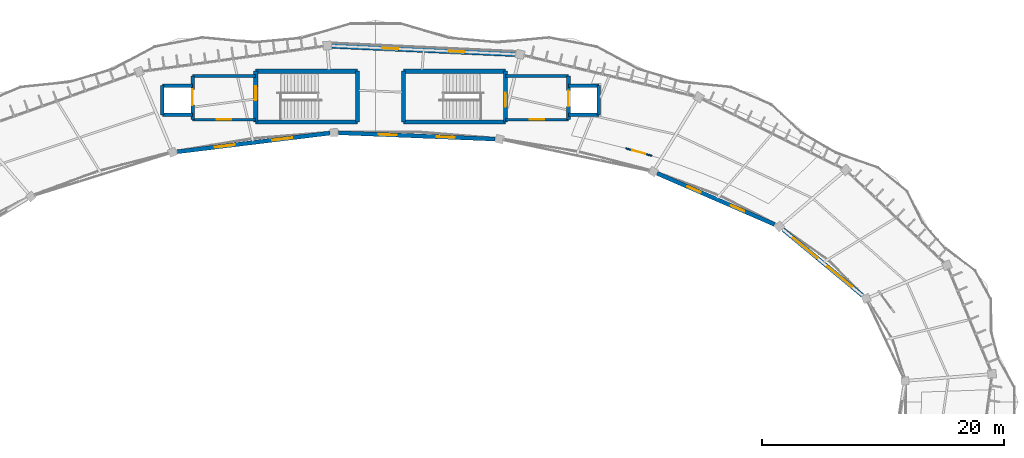
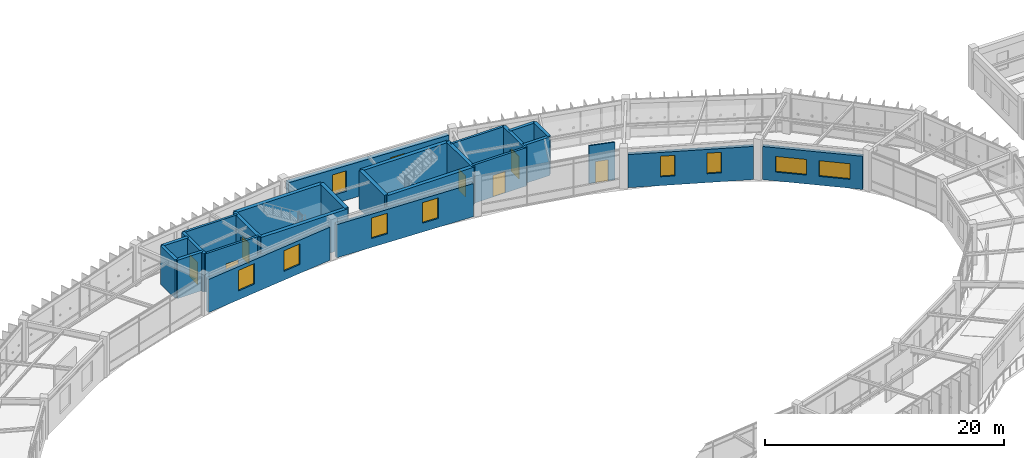
# One storey, part 116 of 138: 26 walls, 10 windows, 7 doors, 17 openings.
"""IFC4 building model written with IfcOpenShell, lengths in metres."""

import ifcopenshell
import ifcopenshell.guid

model = None  # the IFC model being written
_history = None  # IfcOwnerHistory: only IFC2X3 demands one
_inside = {}  # id of a spatial element -> (the spatial element, [elements in it])
_under = {}  # id of a project, library or spatial element -> (it, [spatial elements below it])
_declared = {}  # id of a project -> (the project, [libraries it declares])
_typed = {}  # id of a type object -> (the type object, [elements of that type])
_made_of = {}  # id of a material, layer set ... -> (it, [elements and type objects made of it])


def new_model(schema):
    """Start an empty IFC model of exactly this schema.

    Asked for "IFC4X3", IfcOpenShell would pick the latest addendum, in which some entities
    have other attributes; the version numbers below select the first issue.
    IFC2X3 requires an IfcOwnerHistory on every rooted entity: one is made here for all.
    """
    global model, _history
    if schema == "IFC4X3":
        model = ifcopenshell.file(schema_version=(4, 3, 0, 0))
    else:
        model = ifcopenshell.file(schema=schema)
    _inside.clear()
    _under.clear()
    _declared.clear()
    _typed.clear()
    _made_of.clear()
    _history = None
    if model.schema == "IFC2X3":
        org = make("IfcOrganization", Name="unknown")
        user = make(
            "IfcPersonAndOrganization",
            ThePerson=make("IfcPerson", FamilyName="unknown"),
            TheOrganization=org,
        )
        app = make(
            "IfcApplication",
            ApplicationDeveloper=org,
            Version="unknown",
            ApplicationFullName="unknown",
            ApplicationIdentifier="unknown",
        )
        _history = make(
            "IfcOwnerHistory",
            OwningUser=user,
            OwningApplication=app,
            ChangeAction="ADDED",
            CreationDate=0,
        )
    return model


def make(cls, **values):
    """One entity of the class cls with the attributes given. An attribute that is None is left unset."""
    return model.create_entity(
        cls, **{name: value for name, value in values.items() if value is not None}
    )


def rooted(cls, **values):
    """An entity with a GlobalId (a new one), such as an element, a storey or a relation."""
    return make(cls, GlobalId=ifcopenshell.guid.new(), OwnerHistory=_history, **values)


def si_unit(unit_type, name, prefix=None):
    """IfcSIUnit, for example si_unit("LENGTHUNIT", "METRE", prefix="MILLI")."""
    return make("IfcSIUnit", UnitType=unit_type, Prefix=prefix, Name=name)


def assignment(units):
    """IfcUnitAssignment: the units of a project."""
    return None if units is None else make("IfcUnitAssignment", Units=units)


def point(xyz):
    """IfcCartesianPoint."""
    return None if xyz is None else make("IfcCartesianPoint", Coordinates=xyz)


def direction(xyz):
    """IfcDirection."""
    return None if xyz is None else make("IfcDirection", DirectionRatios=xyz)


def frame(location, z_axis=None, x_axis=None):
    """IfcAxis2Placement3D, a coordinate frame: its origin and axes. An axis left out is left unset."""
    return make(
        "IfcAxis2Placement3D",
        Location=point(location),
        Axis=direction(z_axis),
        RefDirection=direction(x_axis),
    )


def frame_2d(location, x_axis=None):
    """IfcAxis2Placement2D, a coordinate frame in the plane: its origin and x axis."""
    return make(
        "IfcAxis2Placement2D", Location=point(location), RefDirection=direction(x_axis)
    )


def origin():
    """The frame at (0, 0, 0) with its axes left unset."""
    return frame((0.0, 0.0, 0.0))


def place(relative_to, where):
    """IfcLocalPlacement: puts the frame where relative to a parent placement (None: the world)."""
    return make(
        "IfcLocalPlacement", PlacementRelTo=relative_to, RelativePlacement=where
    )


def context(
    kind, dimensions, precision=None, world=None, true_north=None, identifier=None
):
    """IfcGeometricRepresentationContext, for example the 3D "Model" context."""
    return make(
        "IfcGeometricRepresentationContext",
        ContextIdentifier=identifier,
        ContextType=kind,
        CoordinateSpaceDimension=dimensions,
        Precision=precision,
        WorldCoordinateSystem=world,
        TrueNorth=true_north,
    )


def subcontext(parent, identifier, kind, view, scale=None):
    """IfcGeometricRepresentationSubContext, for example "Body" below "Model"."""
    return make(
        "IfcGeometricRepresentationSubContext",
        ContextIdentifier=identifier,
        ContextType=kind,
        ParentContext=parent,
        TargetScale=scale,
        TargetView=view,
    )


def project(units=None, contexts=None):
    """IfcProject with its units and contexts."""
    return rooted(
        "IfcProject",
        Name="project",
        RepresentationContexts=contexts,
        UnitsInContext=assignment(units),
    )


def spatial(cls, under=None, at=None, **own):
    """A site, building, storey or space (cls), placed at a placement, below another one or the project."""
    s = rooted(cls, ObjectPlacement=at, **own)
    if under is not None:
        _under.setdefault(under.id(), (under, []))[1].append(s)
    return s


def profile(cls, at=None, kind="AREA", **sizes):
    """A parametric profile (cls). Its sizes go by their IFC names, for example OverallWidth=200.0."""
    return make(cls, ProfileType=kind, Position=at, **sizes)


def rectangle(**sizes):
    """IfcRectangleProfileDef."""
    return profile("IfcRectangleProfileDef", **sizes)


def extrude(swept, where, along, depth):
    """IfcExtrudedAreaSolid: the profile swept, set in the frame where, extruded along a direction by depth."""
    return make(
        "IfcExtrudedAreaSolid",
        SweptArea=swept,
        Position=where,
        ExtrudedDirection=direction(along),
        Depth=depth,
    )


def shape(context_of_items, identifier, shape_type, items):
    """IfcShapeRepresentation: the items that make up one representation, for example the "Body"."""
    return make(
        "IfcShapeRepresentation",
        ContextOfItems=context_of_items,
        RepresentationIdentifier=identifier,
        RepresentationType=shape_type,
        Items=items,
    )


def material(Name=None, Category=None):
    """IfcMaterial."""
    return make("IfcMaterial", Name=Name, Category=Category)


def layer(
    of_material, thickness, ventilated=None, Name=None, Category=None, Priority=None
):
    """IfcMaterialLayer: one layer of a wall or slab, of a material (None: an air gap)."""
    return make(
        "IfcMaterialLayer",
        Material=of_material,
        LayerThickness=thickness,
        IsVentilated=ventilated,
        Name=Name,
        Category=Category,
        Priority=Priority,
    )


def layer_set(layers, Name=None):
    """IfcMaterialLayerSet."""
    return make("IfcMaterialLayerSet", MaterialLayers=layers, LayerSetName=Name)


def made_of(thing, what):
    """Note that an element or type object is made of a material, layer set ...; save() writes the relation."""
    if what is not None:
        _made_of.setdefault(what.id(), (what, []))[1].append(thing)
    return thing


def type_object(cls, material=None, **own):
    """A type object (cls), such as IfcWallType, which elements share."""
    return made_of(rooted(cls, **own), material)


def element(
    cls,
    number,
    at=None,
    inside=None,
    cuts=None,
    type_object=None,
    material=None,
    context=None,
    identifier="Body",
    shape_type=None,
    held_by="IfcProductDefinitionShape",
    body=None,
    shapes=None,
    **own,
):
    """One element of the class cls, such as IfcWall. Its Tag is "e" and its number.

    at: its placement. inside: the storey or other place that contains it. cuts: it is an
    opening in that element (IfcRelVoidsElement). A single representation is given by context,
    identifier, shape_type and body (its items); several are given by shapes. held_by: the class
    of the entity that holds the representations. save() writes the other relations.
    """
    e = rooted(cls, Tag="e%d" % number, ObjectPlacement=at, **own)
    if body is not None:
        shapes = [shape(context, identifier, shape_type, body)]
    if shapes is not None:
        e.Representation = make(held_by, Representations=shapes)
    if inside is not None:
        _inside.setdefault(inside.id(), (inside, []))[1].append(e)
    if cuts is not None:
        rooted(
            "IfcRelVoidsElement", RelatingBuildingElement=cuts, RelatedOpeningElement=e
        )
    if type_object is not None:
        _typed.setdefault(type_object.id(), (type_object, []))[1].append(e)
    return made_of(e, material)


def fill(opening, filler):
    """IfcRelFillsElement: the door or window that sits in an opening."""
    return rooted(
        "IfcRelFillsElement",
        RelatingOpeningElement=opening,
        RelatedBuildingElement=filler,
    )


def aggregate(whole, parts):
    """IfcRelAggregates: a whole, such as a stair, and the parts it consists of."""
    return rooted("IfcRelAggregates", RelatingObject=whole, RelatedObjects=parts)


def save(model, path):
    """Write the relations noted so far, then the file.

    IfcRelAggregates (storeys below a building ...), IfcRelContainedInSpatialStructure (elements
    in a storey), IfcRelDefinesByType, IfcRelAssociatesMaterial and IfcRelDeclares: one each for
    every whole, place, type object, material and project.
    """
    for whole, parts in _under.values():
        aggregate(whole, parts)
    for where, things in _inside.values():
        rooted(
            "IfcRelContainedInSpatialStructure",
            RelatedElements=things,
            RelatingStructure=where,
        )
    for kind, things in _typed.values():
        rooted("IfcRelDefinesByType", RelatedObjects=things, RelatingType=kind)
    for what, things in _made_of.values():
        rooted("IfcRelAssociatesMaterial", RelatedObjects=things, RelatingMaterial=what)
    for by, libraries in _declared.values():
        rooted("IfcRelDeclares", RelatingContext=by, RelatedDefinitions=libraries)
    model.write(path)


model = new_model("IFC4")

# Units and contexts
model_context = context("Model", 3, precision=1e-05, world=origin(), true_north=direction((0.0, 1.0)))
body_context = subcontext(model_context, "Body", "Model", "MODEL_VIEW")
ifc_project = project(units=[si_unit("LENGTHUNIT", "METRE"), si_unit("AREAUNIT", "SQUARE_METRE"), si_unit("VOLUMEUNIT", "CUBIC_METRE"), si_unit("PLANEANGLEUNIT", "RADIAN"), si_unit("MASSUNIT", "GRAM", prefix="KILO"), si_unit("THERMODYNAMICTEMPERATUREUNIT", "KELVIN"), si_unit("POWERUNIT", "WATT")], contexts=[model_context])

# Site, building, storey
site_placement = place(None, origin())
site = spatial("IfcSite", under=ifc_project, at=site_placement, CompositionType="ELEMENT")
building_placement = place(site_placement, origin())
building = spatial("IfcBuilding", under=site, at=building_placement, Name="Darbajah Civic Hall", CompositionType="ELEMENT")
storey_placement = place(building_placement, frame((0.0, 0.0, 9.60009765625)))
storey = spatial("IfcBuildingStorey", under=building, at=storey_placement, Name="L02", CompositionType="ELEMENT", Elevation=9.60009765625)

# Wall, opening, door
ifc_material_1 = material(Name="Concrete C45/55", Category="concrete")
ifc_layer_1 = layer(ifc_material_1, 0.300048828125, Name="Concrete C45/55")
ifc_layer_set_1 = layer_set([ifc_layer_1], Name="Concrete C45/55")
wall_type_1 = type_object("IfcWallType", Name="Core Shear Wall 300mm", PredefinedType="SHEAR", material=ifc_layer_set_1)
wall_1_placement = place(storey_placement, frame((74.0, 116.699951171875, 0.0), z_axis=(0.0, 0.0, 1.0), x_axis=(0.0, -1.0, 0.0)))
wall_1 = element("IfcWall", 1, at=wall_1_placement, inside=storey, type_object=wall_type_1, Name="L02 firefighting lobby C01 wall W", PredefinedType="SHEAR", context=body_context, shape_type="SweptSolid", body=[
    extrude(rectangle(XDim=3.599853515625, YDim=0.300048828125, at=frame_2d((1.7998046875, 0.0))), origin(), (0.0, 0.0, 1.0), 3.919921875),
])
opening_1_placement = place(wall_1_placement, frame((1.10009765625, 0.0, 0.0)))
opening_1 = element("IfcOpeningElement", 2, at=opening_1_placement, cuts=wall_1, Name="Opening LD-0017", PredefinedType="OPENING", context=body_context, shape_type="SweptSolid", body=[
    extrude(rectangle(XDim=1.300048828125, YDim=2.300048828125, at=frame_2d((0.64990234375, 1.14990234375))), frame((0.0, 0.159912109375, 0.0), z_axis=(0.0, -1.0, 0.0), x_axis=(1.0, 0.0, 0.0)), (0.0, 0.0, 1.0), 0.320068359375),
])
ifc_material_2 = material(Name="Firefighting Lift Landing Door")
door_type_1 = type_object("IfcDoorType", Name="Lift Landing Door 1300x2300", OperationType="SLIDING_TO_LEFT", PredefinedType="DOOR", material=ifc_material_2)
door_1_placement = place(opening_1_placement, origin())
door_1 = element("IfcDoor", 3, at=door_1_placement, inside=storey, type_object=door_type_1, Name="L02 firefighting lift FL1 landing door LD-0017", OperationType="SLIDING_TO_LEFT", OverallHeight=2.300048828125, OverallWidth=1.300048828125, PredefinedType="DOOR", context=body_context, shape_type="SweptSolid", body=[
    extrude(rectangle(XDim=1.300048828125, YDim=2.300048828125, at=frame_2d((0.64990234375, 1.14990234375))), frame((0.0, 0.02490234375, 0.0), z_axis=(0.0, -1.0, 0.0), x_axis=(1.0, 0.0, 0.0)), (0.0, 0.0, 1.0), 0.050048828125),
])
fill(opening_1, door_1)

# Walls
for number, where, z_axis, x_axis, name in (
    (4, (74.0, 115.89990234375, 0.0), (0.0, 0.0, 1.0), (-1.0, 0.0, 0.0), "L02 lift FL1 shaft wall N"),
    (5, (71.5, 113.5, 0.0), (0.0, 0.0, 1.0), (1.0, 0.0, 0.0), "L02 lift FL1 shaft wall S"),
):
    element("IfcWall", number, at=place(storey_placement, frame(where, z_axis=z_axis, x_axis=x_axis)), inside=storey, type_object=wall_type_1, Name=name, PredefinedType="SHEAR", context=body_context, shape_type="SweptSolid", body=[
        extrude(rectangle(XDim=2.5, YDim=0.300048828125, at=frame_2d((1.25, 0.0))), origin(), (0.0, 0.0, 1.0), 3.919921875),
    ])
wall_2_placement = place(storey_placement, frame((71.5, 115.89990234375, 0.0), z_axis=(0.0, 0.0, 1.0), x_axis=(0.0, -1.0, 0.0)))
element("IfcWall", 6, at=wall_2_placement, inside=storey, type_object=wall_type_1, Name="L02 lift FL1 shaft wall OUT", PredefinedType="SHEAR", context=body_context, shape_type="SweptSolid", body=[
    extrude(rectangle(XDim=2.39990234375, YDim=0.300048828125, at=frame_2d((1.199951171875, 0.0))), origin(), (0.0, 0.0, 1.0), 3.919921875),
])

# Wall, opening, door
wall_3_placement = place(storey_placement, frame((105.0, 113.10009765625, 0.0), z_axis=(0.0, 0.0, 1.0), x_axis=(0.0, 1.0, 0.0)))
wall_3 = element("IfcWall", 7, at=wall_3_placement, inside=storey, type_object=wall_type_1, Name="L02 firefighting lobby C02 wall E", PredefinedType="SHEAR", context=body_context, shape_type="SweptSolid", body=[
    extrude(rectangle(XDim=3.599853515625, YDim=0.300048828125, at=frame_2d((1.7998046875, 0.0))), origin(), (0.0, 0.0, 1.0), 3.919921875),
])
opening_2_placement = place(wall_3_placement, frame((1.10009765625, 0.0, 0.0)))
opening_2 = element("IfcOpeningElement", 8, at=opening_2_placement, cuts=wall_3, Name="Opening LD-0038", PredefinedType="OPENING", context=body_context, shape_type="SweptSolid", body=[
    extrude(rectangle(XDim=1.300048828125, YDim=2.300048828125, at=frame_2d((0.64990234375, 1.14990234375))), frame((0.0, 0.159912109375, 0.0), z_axis=(0.0, -1.0, 0.0), x_axis=(1.0, 0.0, 0.0)), (0.0, 0.0, 1.0), 0.320068359375),
])
door_2_placement = place(opening_2_placement, origin())
door_2 = element("IfcDoor", 9, at=door_2_placement, inside=storey, type_object=door_type_1, Name="L02 firefighting lift FL2 landing door LD-0038", OperationType="SLIDING_TO_LEFT", OverallHeight=2.300048828125, OverallWidth=1.300048828125, PredefinedType="DOOR", context=body_context, shape_type="SweptSolid", body=[
    extrude(rectangle(XDim=1.300048828125, YDim=2.300048828125, at=frame_2d((0.64990234375, 1.14990234375))), frame((0.0, 0.02490234375, 0.0), z_axis=(0.0, -1.0, 0.0), x_axis=(1.0, 0.0, 0.0)), (0.0, 0.0, 1.0), 0.050048828125),
])
fill(opening_2, door_2)

# Walls
for number, where, z_axis, x_axis, name in (
    (10, (107.5, 115.89990234375, 0.0), (0.0, 0.0, 1.0), (-1.0, 0.0, 0.0), "L02 lift FL2 shaft wall N"),
    (11, (105.0, 113.5, 0.0), (0.0, 0.0, 1.0), (1.0, 0.0, 0.0), "L02 lift FL2 shaft wall S"),
):
    element("IfcWall", number, at=place(storey_placement, frame(where, z_axis=z_axis, x_axis=x_axis)), inside=storey, type_object=wall_type_1, Name=name, PredefinedType="SHEAR", context=body_context, shape_type="SweptSolid", body=[
        extrude(rectangle(XDim=2.5, YDim=0.300048828125, at=frame_2d((1.25, 0.0))), origin(), (0.0, 0.0, 1.0), 3.919921875),
    ])
wall_4_placement = place(storey_placement, frame((107.5, 113.5, 0.0), z_axis=(0.0, 0.0, 1.0), x_axis=(0.0, 1.0, 0.0)))
element("IfcWall", 12, at=wall_4_placement, inside=storey, type_object=wall_type_1, Name="L02 lift FL2 shaft wall OUT", PredefinedType="SHEAR", context=body_context, shape_type="SweptSolid", body=[
    extrude(rectangle(XDim=2.39990234375, YDim=0.300048828125, at=frame_2d((1.199951171875, 0.0))), origin(), (0.0, 0.0, 1.0), 3.919921875),
])
ifc_material_3 = material(Name="Concrete C50/60", Category="concrete")
ifc_layer_2 = layer(ifc_material_3, 0.35009765625, Name="Concrete C50/60")
ifc_layer_set_2 = layer_set([ifc_layer_2], Name="Concrete C50/60")
wall_type_2 = type_object("IfcWallType", Name="Core Shear Wall 350mm", PredefinedType="SHEAR", material=ifc_layer_set_2)
wall_5_placement = place(storey_placement, frame((79.199951171875, 112.89990234375, 0.0), z_axis=(0.0, 0.0, 1.0), x_axis=(1.0, 0.0, 0.0)))
element("IfcWall", 13, at=wall_5_placement, inside=storey, type_object=wall_type_2, Name="L02 core C01 shear wall S", PredefinedType="SHEAR", context=body_context, shape_type="SweptSolid", body=[
    extrude(rectangle(XDim=8.400146484375, YDim=0.35009765625, at=frame_2d((4.2001953125, 0.0))), origin(), (0.0, 0.0, 1.0), 3.919921875),
])
wall_6_placement = place(storey_placement, frame((87.60009765625, 112.89990234375, 0.0), z_axis=(0.0, 0.0, 1.0), x_axis=(0.0, 1.0, 0.0)))
element("IfcWall", 14, at=wall_6_placement, inside=storey, type_object=wall_type_2, Name="L02 core C01 shear wall E", PredefinedType="SHEAR", context=body_context, shape_type="SweptSolid", body=[
    extrude(rectangle(XDim=4.2001953125, YDim=0.35009765625, at=frame_2d((2.10009765625, 0.0))), origin(), (0.0, 0.0, 1.0), 3.919921875),
])
wall_7_placement = place(storey_placement, frame((87.60009765625, 117.10009765625, 0.0), z_axis=(0.0, 0.0, 1.0), x_axis=(-1.0, 0.0, 0.0)))
element("IfcWall", 15, at=wall_7_placement, inside=storey, type_object=wall_type_2, Name="L02 core C01 shear wall N", PredefinedType="SHEAR", context=body_context, shape_type="SweptSolid", body=[
    extrude(rectangle(XDim=8.400146484375, YDim=0.35009765625, at=frame_2d((4.2001953125, 0.0))), origin(), (0.0, 0.0, 1.0), 3.919921875),
])

# Wall, opening, door
wall_8_placement = place(storey_placement, frame((79.199951171875, 117.10009765625, 0.0), z_axis=(0.0, 0.0, 1.0), x_axis=(0.0, -1.0, 0.0)))
wall_8 = element("IfcWall", 16, at=wall_8_placement, inside=storey, type_object=wall_type_2, Name="L02 core C01 shear wall W", PredefinedType="SHEAR", context=body_context, shape_type="SweptSolid", body=[
    extrude(rectangle(XDim=4.2001953125, YDim=0.35009765625, at=frame_2d((2.10009765625, 0.0))), origin(), (0.0, 0.0, 1.0), 3.919921875),
])
opening_3_placement = place(wall_8_placement, frame((1.25, 0.0, 0.0)))
opening_3 = element("IfcOpeningElement", 17, at=opening_3_placement, cuts=wall_8, Name="Opening SD-0005", PredefinedType="OPENING", context=body_context, shape_type="SweptSolid", body=[
    extrude(rectangle(XDim=1.14990234375, YDim=2.199951171875, at=frame_2d((0.574951171875, 1.10009765625))), frame((0.0, 0.18505859375, 0.0), z_axis=(0.0, -1.0, 0.0), x_axis=(1.0, 0.0, 0.0)), (0.0, 0.0, 1.0), 0.3701171875),
])
ifc_material_4 = material(Name="Steel Rated Core Door", Category="steel")
door_type_2 = type_object("IfcDoorType", Name="Interior Door 1150x2200", OperationType="NOTDEFINED", PredefinedType="DOOR", material=ifc_material_4)
door_3_placement = place(opening_3_placement, origin())
door_3 = element("IfcDoor", 18, at=door_3_placement, inside=storey, type_object=door_type_2, Name="L02 stair ST01 fire door SD-0005", OperationType="SINGLE_SWING_RIGHT", OverallHeight=2.199951171875, OverallWidth=1.14990234375, PredefinedType="DOOR", context=body_context, shape_type="SweptSolid", body=[
    extrude(rectangle(XDim=1.14990234375, YDim=2.199951171875, at=frame_2d((0.574951171875, 1.10009765625))), frame((0.0, 0.02490234375, 0.0), z_axis=(0.0, -1.0, 0.0), x_axis=(1.0, 0.0, 0.0)), (0.0, 0.0, 1.0), 0.050048828125),
])
fill(opening_3, door_3)

# Wall
wall_9_placement = place(storey_placement, frame((91.39990234375, 112.89990234375, 0.0), z_axis=(0.0, 0.0, 1.0), x_axis=(1.0, 0.0, 0.0)))
element("IfcWall", 19, at=wall_9_placement, inside=storey, type_object=wall_type_2, Name="L02 core C02 shear wall S", PredefinedType="SHEAR", context=body_context, shape_type="SweptSolid", body=[
    extrude(rectangle(XDim=8.400146484375, YDim=0.35009765625, at=frame_2d((4.2001953125, 0.0))), origin(), (0.0, 0.0, 1.0), 3.919921875),
])

# Wall, opening, door
wall_10_placement = place(storey_placement, frame((99.800048828125, 112.89990234375, 0.0), z_axis=(0.0, 0.0, 1.0), x_axis=(0.0, 1.0, 0.0)))
wall_10 = element("IfcWall", 20, at=wall_10_placement, inside=storey, type_object=wall_type_2, Name="L02 core C02 shear wall E", PredefinedType="SHEAR", context=body_context, shape_type="SweptSolid", body=[
    extrude(rectangle(XDim=4.2001953125, YDim=0.35009765625, at=frame_2d((2.10009765625, 0.0))), origin(), (0.0, 0.0, 1.0), 3.919921875),
])
opening_4_placement = place(wall_10_placement, frame((1.25, 0.0, 0.0)))
opening_4 = element("IfcOpeningElement", 21, at=opening_4_placement, cuts=wall_10, Name="Opening SD-0026", PredefinedType="OPENING", context=body_context, shape_type="SweptSolid", body=[
    extrude(rectangle(XDim=1.14990234375, YDim=2.199951171875, at=frame_2d((0.574951171875, 1.10009765625))), frame((0.0, 0.18505859375, 0.0), z_axis=(0.0, -1.0, 0.0), x_axis=(1.0, 0.0, 0.0)), (0.0, 0.0, 1.0), 0.3701171875),
])
door_4_placement = place(opening_4_placement, origin())
door_4 = element("IfcDoor", 22, at=door_4_placement, inside=storey, type_object=door_type_2, Name="L02 stair ST02 fire door SD-0026", OperationType="SINGLE_SWING_LEFT", OverallHeight=2.199951171875, OverallWidth=1.14990234375, PredefinedType="DOOR", context=body_context, shape_type="SweptSolid", body=[
    extrude(rectangle(XDim=1.14990234375, YDim=2.199951171875, at=frame_2d((0.574951171875, 1.10009765625))), frame((0.0, 0.02490234375, 0.0), z_axis=(0.0, -1.0, 0.0), x_axis=(1.0, 0.0, 0.0)), (0.0, 0.0, 1.0), 0.050048828125),
])
fill(opening_4, door_4)

# Walls
wall_11_placement = place(storey_placement, frame((99.800048828125, 117.10009765625, 0.0), z_axis=(0.0, 0.0, 1.0), x_axis=(-1.0, 0.0, 0.0)))
element("IfcWall", 23, at=wall_11_placement, inside=storey, type_object=wall_type_2, Name="L02 core C02 shear wall N", PredefinedType="SHEAR", context=body_context, shape_type="SweptSolid", body=[
    extrude(rectangle(XDim=8.400146484375, YDim=0.35009765625, at=frame_2d((4.2001953125, 0.0))), origin(), (0.0, 0.0, 1.0), 3.919921875),
])
wall_12_placement = place(storey_placement, frame((91.39990234375, 117.10009765625, 0.0), z_axis=(0.0, 0.0, 1.0), x_axis=(0.0, -1.0, 0.0)))
element("IfcWall", 24, at=wall_12_placement, inside=storey, type_object=wall_type_2, Name="L02 core C02 shear wall W", PredefinedType="SHEAR", context=body_context, shape_type="SweptSolid", body=[
    extrude(rectangle(XDim=4.2001953125, YDim=0.35009765625, at=frame_2d((2.10009765625, 0.0))), origin(), (0.0, 0.0, 1.0), 3.919921875),
])

# Wall, openings, windows
ifc_material_5 = material(Name="Qatari Desert Limestone Ashlar", Category="masonry")
ifc_layer_3 = layer(ifc_material_5, 0.340087890625, Name="Qatari Desert Limestone Ashlar")
ifc_layer_set_3 = layer_set([ifc_layer_3], Name="Qatari Desert Limestone Ashlar")
wall_type_3 = type_object("IfcWallType", Name="Exterior Wall 340mm", PredefinedType="SOLIDWALL", material=ifc_layer_set_3)
wall_13_placement = place(storey_placement, frame((129.226806640625, 98.615478515625, 0.0), z_axis=(0.0, 0.0, 1.0), x_axis=(-0.769151449901, 0.639066543574, 0.0)))
wall_13 = element("IfcWall", 25, at=wall_13_placement, inside=storey, type_object=wall_type_3, Name="L02 exterior wall EW-340", PredefinedType="SOLIDWALL", context=body_context, shape_type="SweptSolid", body=[
    extrude(rectangle(XDim=8.490478515625, YDim=0.340087890625, at=frame_2d((4.2451171875, 0.0))), origin(), (0.0, 0.0, 1.0), 3.38671875),
])
opening_5_placement = place(wall_13_placement, frame((1.0966796875, 0.0, 0.89990234375)))
opening_5 = element("IfcOpeningElement", 26, at=opening_5_placement, cuts=wall_13, Name="Opening WN-28", PredefinedType="OPENING", context=body_context, shape_type="SweptSolid", body=[
    extrude(rectangle(XDim=2.60009765625, YDim=1.60009765625, at=frame_2d((1.300048828125, 0.800048828125))), frame((0.0, 0.179931640625, 0.0), z_axis=(0.0, -1.0, 0.0), x_axis=(1.0, 0.0, 0.0)), (0.0, 0.0, 1.0), 0.360107421875),
])
opening_6_placement = place(wall_13_placement, frame((4.793701171875, 0.0, 0.89990234375)))
opening_6 = element("IfcOpeningElement", 27, at=opening_6_placement, cuts=wall_13, Name="Opening WN-28", PredefinedType="OPENING", context=body_context, shape_type="SweptSolid", body=[
    extrude(rectangle(XDim=2.60009765625, YDim=1.60009765625, at=frame_2d((1.300048828125, 0.800048828125))), frame((0.0, 0.179931640625, 0.0), z_axis=(0.0, -1.0, 0.0), x_axis=(1.0, 0.0, 0.0)), (0.0, 0.0, 1.0), 0.360107421875),
])
ifc_material_6 = material(Name="Low-E Solar Control Double Glazing", Category="glass")
window_type_1 = type_object("IfcWindowType", Name="Facade Window 2600x1600", PartitioningType="DOUBLE_PANEL_VERTICAL", PredefinedType="WINDOW", material=ifc_material_6)
window_1_placement = place(opening_5_placement, origin())
window_1 = element("IfcWindow", 28, at=window_1_placement, inside=storey, type_object=window_type_1, Name="L02 facade window WN-28", OverallHeight=1.60009765625, OverallWidth=2.60009765625, PartitioningType="SINGLE_PANEL", PredefinedType="WINDOW", context=body_context, shape_type="SweptSolid", body=[
    extrude(rectangle(XDim=2.60009765625, YDim=1.60009765625, at=frame_2d((1.300048828125, 0.800048828125))), frame((0.0, 0.030029296875, 0.0), z_axis=(0.0, -1.0, 0.0), x_axis=(1.0, 0.0, 0.0)), (0.0, 0.0, 1.0), 0.06005859375),
])
fill(opening_5, window_1)
window_2_placement = place(opening_6_placement, origin())
window_2 = element("IfcWindow", 29, at=window_2_placement, inside=storey, type_object=window_type_1, Name="L02 facade window WN-28", OverallHeight=1.60009765625, OverallWidth=2.60009765625, PartitioningType="SINGLE_PANEL", PredefinedType="WINDOW", context=body_context, shape_type="SweptSolid", body=[
    extrude(rectangle(XDim=2.60009765625, YDim=1.60009765625, at=frame_2d((1.300048828125, 0.800048828125))), frame((0.0, 0.030029296875, 0.0), z_axis=(0.0, -1.0, 0.0), x_axis=(1.0, 0.0, 0.0)), (0.0, 0.0, 1.0), 0.06005859375),
])
fill(opening_6, window_2)

wall_14_placement = place(storey_placement, frame((122.00537109375, 104.456787109375, 0.0), z_axis=(0.0, 0.0, 1.0), x_axis=(-0.917047260006, 0.398778538685, 0.0)))
wall_14 = element("IfcWall", 30, at=wall_14_placement, inside=storey, type_object=wall_type_3, Name="L02 exterior wall EW-340", PredefinedType="SOLIDWALL", context=body_context, shape_type="SweptSolid", body=[
    extrude(rectangle(XDim=10.55712890625, YDim=0.340087890625, at=frame_2d((5.278564453125, 0.0))), origin(), (0.0, 0.0, 1.0), 3.38671875),
])
opening_7_placement = place(wall_14_placement, frame((2.718994140625, 0.0, 0.89990234375)))
opening_7 = element("IfcOpeningElement", 31, at=opening_7_placement, cuts=wall_14, Name="Opening WN-01", PredefinedType="OPENING", context=body_context, shape_type="SweptSolid", body=[
    extrude(rectangle(XDim=1.199951171875, YDim=2.10009765625, at=frame_2d((0.60009765625, 1.050048828125))), frame((0.0, 0.179931640625, 0.0), z_axis=(0.0, -1.0, 0.0), x_axis=(1.0, 0.0, 0.0)), (0.0, 0.0, 1.0), 0.360107421875),
])
opening_8_placement = place(wall_14_placement, frame((6.63818359375, 0.0, 0.89990234375)))
opening_8 = element("IfcOpeningElement", 32, at=opening_8_placement, cuts=wall_14, Name="Opening WN-01", PredefinedType="OPENING", context=body_context, shape_type="SweptSolid", body=[
    extrude(rectangle(XDim=1.199951171875, YDim=2.10009765625, at=frame_2d((0.60009765625, 1.050048828125))), frame((0.0, 0.179931640625, 0.0), z_axis=(0.0, -1.0, 0.0), x_axis=(1.0, 0.0, 0.0)), (0.0, 0.0, 1.0), 0.360107421875),
])
window_type_2 = type_object("IfcWindowType", Name="Facade Window 1200x2100", PartitioningType="SINGLE_PANEL", PredefinedType="WINDOW", material=ifc_material_6)
window_3_placement = place(opening_7_placement, origin())
window_3 = element("IfcWindow", 33, at=window_3_placement, inside=storey, type_object=window_type_2, Name="L02 facade window WN-01", OverallHeight=2.10009765625, OverallWidth=1.199951171875, PartitioningType="SINGLE_PANEL", PredefinedType="WINDOW", context=body_context, shape_type="SweptSolid", body=[
    extrude(rectangle(XDim=1.199951171875, YDim=2.10009765625, at=frame_2d((0.60009765625, 1.050048828125))), frame((0.0, 0.030029296875, 0.0), z_axis=(0.0, -1.0, 0.0), x_axis=(1.0, 0.0, 0.0)), (0.0, 0.0, 1.0), 0.06005859375),
])
fill(opening_7, window_3)
window_4_placement = place(opening_8_placement, origin())
window_4 = element("IfcWindow", 34, at=window_4_placement, inside=storey, type_object=window_type_2, Name="L02 facade window WN-01", OverallHeight=2.10009765625, OverallWidth=1.199951171875, PartitioningType="SINGLE_PANEL", PredefinedType="WINDOW", context=body_context, shape_type="SweptSolid", body=[
    extrude(rectangle(XDim=1.199951171875, YDim=2.10009765625, at=frame_2d((0.60009765625, 1.050048828125))), frame((0.0, 0.030029296875, 0.0), z_axis=(0.0, -1.0, 0.0), x_axis=(1.0, 0.0, 0.0)), (0.0, 0.0, 1.0), 0.06005859375),
])
fill(opening_8, window_4)

wall_15_placement = place(storey_placement, frame((98.941162109375, 111.499267578125, 0.0), z_axis=(0.0, 0.0, 1.0), x_axis=(-0.999197908265, 0.040044227027, 0.0)))
wall_15 = element("IfcWall", 35, at=wall_15_placement, inside=storey, type_object=wall_type_3, Name="L02 exterior wall EW-340", PredefinedType="SOLIDWALL", context=body_context, shape_type="SweptSolid", body=[
    extrude(rectangle(XDim=12.925048828125, YDim=0.340087890625, at=frame_2d((6.46240234375, 0.0))), origin(), (0.0, 0.0, 1.0), 3.38671875),
])
opening_9_placement = place(wall_15_placement, frame((3.308349609375, 0.0, 0.89990234375)))
opening_9 = element("IfcOpeningElement", 36, at=opening_9_placement, cuts=wall_15, Name="Opening WN-03", PredefinedType="OPENING", context=body_context, shape_type="SweptSolid", body=[
    extrude(rectangle(XDim=1.5, YDim=2.10009765625, at=frame_2d((0.75, 1.050048828125))), frame((0.0, 0.179931640625, 0.0), z_axis=(0.0, -1.0, 0.0), x_axis=(1.0, 0.0, 0.0)), (0.0, 0.0, 1.0), 0.360107421875),
])
opening_10_placement = place(wall_15_placement, frame((8.11669921875, 0.0, 0.89990234375)))
opening_10 = element("IfcOpeningElement", 37, at=opening_10_placement, cuts=wall_15, Name="Opening WN-03", PredefinedType="OPENING", context=body_context, shape_type="SweptSolid", body=[
    extrude(rectangle(XDim=1.5, YDim=2.10009765625, at=frame_2d((0.75, 1.050048828125))), frame((0.0, 0.179931640625, 0.0), z_axis=(0.0, -1.0, 0.0), x_axis=(1.0, 0.0, 0.0)), (0.0, 0.0, 1.0), 0.360107421875),
])
window_type_3 = type_object("IfcWindowType", Name="Facade Window 1500x2100", PartitioningType="SINGLE_PANEL", PredefinedType="WINDOW", material=ifc_material_6)
window_5_placement = place(opening_9_placement, origin())
window_5 = element("IfcWindow", 38, at=window_5_placement, inside=storey, type_object=window_type_3, Name="L02 facade window WN-03", OverallHeight=2.10009765625, OverallWidth=1.5, PartitioningType="SINGLE_PANEL", PredefinedType="WINDOW", context=body_context, shape_type="SweptSolid", body=[
    extrude(rectangle(XDim=1.5, YDim=2.10009765625, at=frame_2d((0.75, 1.050048828125))), frame((0.0, 0.030029296875, 0.0), z_axis=(0.0, -1.0, 0.0), x_axis=(1.0, 0.0, 0.0)), (0.0, 0.0, 1.0), 0.06005859375),
])
fill(opening_9, window_5)
window_6_placement = place(opening_10_placement, origin())
window_6 = element("IfcWindow", 39, at=window_6_placement, inside=storey, type_object=window_type_3, Name="L02 facade window WN-03", OverallHeight=2.10009765625, OverallWidth=1.5, PartitioningType="SINGLE_PANEL", PredefinedType="WINDOW", context=body_context, shape_type="SweptSolid", body=[
    extrude(rectangle(XDim=1.5, YDim=2.10009765625, at=frame_2d((0.75, 1.050048828125))), frame((0.0, 0.030029296875, 0.0), z_axis=(0.0, -1.0, 0.0), x_axis=(1.0, 0.0, 0.0)), (0.0, 0.0, 1.0), 0.06005859375),
])
fill(opening_10, window_6)

wall_16_placement = place(storey_placement, frame((85.3251953125, 111.989990234375, 0.0), z_axis=(0.0, 0.0, 1.0), x_axis=(-0.992612435924, -0.121328282152, 0.0)))
wall_16 = element("IfcWall", 40, at=wall_16_placement, inside=storey, type_object=wall_type_3, Name="L02 exterior wall EW-340", PredefinedType="SOLIDWALL", context=body_context, shape_type="SweptSolid", body=[
    extrude(rectangle(XDim=12.68115234375, YDim=0.340087890625, at=frame_2d((6.340576171875, 0.0))), origin(), (0.0, 0.0, 1.0), 3.38671875),
])
opening_11_placement = place(wall_16_placement, frame((3.127197265625, 0.0, 0.89990234375)))
opening_11 = element("IfcOpeningElement", 41, at=opening_11_placement, cuts=wall_16, Name="Opening WN-04", PredefinedType="OPENING", context=body_context, shape_type="SweptSolid", body=[
    extrude(rectangle(XDim=1.64990234375, YDim=2.10009765625, at=frame_2d((0.824951171875, 1.050048828125))), frame((0.0, 0.179931640625, 0.0), z_axis=(0.0, -1.0, 0.0), x_axis=(1.0, 0.0, 0.0)), (0.0, 0.0, 1.0), 0.360107421875),
])
opening_12_placement = place(wall_16_placement, frame((7.904296875, 0.0, 0.89990234375)))
opening_12 = element("IfcOpeningElement", 42, at=opening_12_placement, cuts=wall_16, Name="Opening WN-04", PredefinedType="OPENING", context=body_context, shape_type="SweptSolid", body=[
    extrude(rectangle(XDim=1.64990234375, YDim=2.10009765625, at=frame_2d((0.824951171875, 1.050048828125))), frame((0.0, 0.179931640625, 0.0), z_axis=(0.0, -1.0, 0.0), x_axis=(1.0, 0.0, 0.0)), (0.0, 0.0, 1.0), 0.360107421875),
])
window_type_4 = type_object("IfcWindowType", Name="Facade Window 1650x2100", PartitioningType="DOUBLE_PANEL_VERTICAL", PredefinedType="WINDOW", material=ifc_material_6)
window_7_placement = place(opening_11_placement, origin())
window_7 = element("IfcWindow", 43, at=window_7_placement, inside=storey, type_object=window_type_4, Name="L02 facade window WN-04", OverallHeight=2.10009765625, OverallWidth=1.64990234375, PartitioningType="SINGLE_PANEL", PredefinedType="WINDOW", context=body_context, shape_type="SweptSolid", body=[
    extrude(rectangle(XDim=1.64990234375, YDim=2.10009765625, at=frame_2d((0.824951171875, 1.050048828125))), frame((0.0, 0.030029296875, 0.0), z_axis=(0.0, -1.0, 0.0), x_axis=(1.0, 0.0, 0.0)), (0.0, 0.0, 1.0), 0.06005859375),
])
fill(opening_11, window_7)
window_8_placement = place(opening_12_placement, origin())
window_8 = element("IfcWindow", 44, at=window_8_placement, inside=storey, type_object=window_type_4, Name="L02 facade window WN-04", OverallHeight=2.10009765625, OverallWidth=1.64990234375, PartitioningType="SINGLE_PANEL", PredefinedType="WINDOW", context=body_context, shape_type="SweptSolid", body=[
    extrude(rectangle(XDim=1.64990234375, YDim=2.10009765625, at=frame_2d((0.824951171875, 1.050048828125))), frame((0.0, 0.030029296875, 0.0), z_axis=(0.0, -1.0, 0.0), x_axis=(1.0, 0.0, 0.0)), (0.0, 0.0, 1.0), 0.06005859375),
])
fill(opening_12, window_8)

ifc_layer_4 = layer(ifc_material_5, 0.419921875, Name="Qatari Desert Limestone Ashlar")
ifc_layer_set_4 = layer_set([ifc_layer_4], Name="Qatari Desert Limestone Ashlar")
wall_type_4 = type_object("IfcWallType", Name="Exterior Wall 420mm", PredefinedType="SOLIDWALL", material=ifc_layer_set_4)
wall_17_placement = place(storey_placement, frame((100.59423828125, 118.503662109375, 0.0), z_axis=(0.0, 0.0, 1.0), x_axis=(-0.998965608226, 0.045472118724, 0.0)))
wall_17 = element("IfcWall", 45, at=wall_17_placement, inside=storey, type_object=wall_type_4, Name="L02 exterior wall EW-420", PredefinedType="SOLIDWALL", context=body_context, shape_type="SweptSolid", body=[
    extrude(rectangle(XDim=15.119140625, YDim=0.419921875, at=frame_2d((7.5595703125, 0.0))), origin(), (0.0, 0.0, 1.0), 3.52001953125),
])
opening_13_placement = place(wall_17_placement, frame((4.1396484375, 0.0, 0.89990234375)))
opening_13 = element("IfcOpeningElement", 46, at=opening_13_placement, cuts=wall_17, Name="Opening WN-02", PredefinedType="OPENING", context=body_context, shape_type="SweptSolid", body=[
    extrude(rectangle(XDim=1.35009765625, YDim=2.10009765625, at=frame_2d((0.675048828125, 1.050048828125))), frame((0.0, 0.219970703125, 0.0), z_axis=(0.0, -1.0, 0.0), x_axis=(1.0, 0.0, 0.0)), (0.0, 0.0, 1.0), 0.43994140625),
])
opening_14_placement = place(wall_17_placement, frame((9.62939453125, 0.0, 0.89990234375)))
opening_14 = element("IfcOpeningElement", 47, at=opening_14_placement, cuts=wall_17, Name="Opening WN-02", PredefinedType="OPENING", context=body_context, shape_type="SweptSolid", body=[
    extrude(rectangle(XDim=1.35009765625, YDim=2.10009765625, at=frame_2d((0.675048828125, 1.050048828125))), frame((0.0, 0.219970703125, 0.0), z_axis=(0.0, -1.0, 0.0), x_axis=(1.0, 0.0, 0.0)), (0.0, 0.0, 1.0), 0.43994140625),
])
window_type_5 = type_object("IfcWindowType", Name="Facade Window 1350x2100", PartitioningType="SINGLE_PANEL", PredefinedType="WINDOW", material=ifc_material_6)
window_9_placement = place(opening_13_placement, origin())
window_9 = element("IfcWindow", 48, at=window_9_placement, inside=storey, type_object=window_type_5, Name="L02 facade window WN-02", OverallHeight=2.10009765625, OverallWidth=1.35009765625, PartitioningType="SINGLE_PANEL", PredefinedType="WINDOW", context=body_context, shape_type="SweptSolid", body=[
    extrude(rectangle(XDim=1.35009765625, YDim=2.10009765625, at=frame_2d((0.675048828125, 1.050048828125))), frame((0.0, 0.030029296875, 0.0), z_axis=(0.0, -1.0, 0.0), x_axis=(1.0, 0.0, 0.0)), (0.0, 0.0, 1.0), 0.06005859375),
])
fill(opening_13, window_9)
window_10_placement = place(opening_14_placement, origin())
window_10 = element("IfcWindow", 49, at=window_10_placement, inside=storey, type_object=window_type_5, Name="L02 facade window WN-02", OverallHeight=2.10009765625, OverallWidth=1.35009765625, PartitioningType="SINGLE_PANEL", PredefinedType="WINDOW", context=body_context, shape_type="SweptSolid", body=[
    extrude(rectangle(XDim=1.35009765625, YDim=2.10009765625, at=frame_2d((0.675048828125, 1.050048828125))), frame((0.0, 0.030029296875, 0.0), z_axis=(0.0, -1.0, 0.0), x_axis=(1.0, 0.0, 0.0)), (0.0, 0.0, 1.0), 0.06005859375),
])
fill(opening_14, window_10)

# Wall, opening, door
ifc_layer_5 = layer(ifc_material_1, 0.219970703125, Name="Concrete C45/55")
ifc_layer_set_5 = layer_set([ifc_layer_5], Name="Concrete C45/55")
wall_type_5 = type_object("IfcWallType", Name="Firefighting Shaft Wall 220mm", PredefinedType="SOLIDWALL", material=ifc_layer_set_5)
wall_18_placement = place(storey_placement, frame((74.0, 113.10009765625, 0.0), z_axis=(0.0, 0.0, 1.0), x_axis=(1.0, 0.0, 0.0)))
wall_18 = element("IfcWall", 50, at=wall_18_placement, inside=storey, type_object=wall_type_5, Name="L02 firefighting lobby C01 wall S", PredefinedType="SOLIDWALL", context=body_context, shape_type="SweptSolid", body=[
    extrude(rectangle(XDim=5.199951171875, YDim=0.219970703125, at=frame_2d((2.60009765625, 0.0))), origin(), (0.0, 0.0, 1.0), 3.919921875),
])
opening_15_placement = place(wall_18_placement, frame((2.0, 0.0, 0.0)))
opening_15 = element("IfcOpeningElement", 51, at=opening_15_placement, cuts=wall_18, Name="Opening FD-0006", PredefinedType="OPENING", context=body_context, shape_type="SweptSolid", body=[
    extrude(rectangle(XDim=1.199951171875, YDim=2.199951171875, at=frame_2d((0.60009765625, 1.10009765625))), frame((0.0, 0.119873046875, 0.0), z_axis=(0.0, -1.0, 0.0), x_axis=(1.0, 0.0, 0.0)), (0.0, 0.0, 1.0), 0.239990234375),
])
ifc_material_7 = material(Name="Painted Hardwood Fire Door", Category="wood")
door_type_3 = type_object("IfcDoorType", Name="Interior Door 1200x2200", OperationType="NOTDEFINED", PredefinedType="DOOR", material=ifc_material_7)
door_5_placement = place(opening_15_placement, origin())
door_5 = element("IfcDoor", 52, at=door_5_placement, inside=storey, type_object=door_type_3, Name="L02 firefighting lobby C01 entrance door FD-0006", OperationType="SINGLE_SWING_LEFT", OverallHeight=2.199951171875, OverallWidth=1.199951171875, PredefinedType="DOOR", context=body_context, shape_type="SweptSolid", body=[
    extrude(rectangle(XDim=1.199951171875, YDim=2.199951171875, at=frame_2d((0.60009765625, 1.10009765625))), frame((0.0, 0.02490234375, 0.0), z_axis=(0.0, -1.0, 0.0), x_axis=(1.0, 0.0, 0.0)), (0.0, 0.0, 1.0), 0.050048828125),
])
fill(opening_15, door_5)

# Wall
wall_19_placement = place(storey_placement, frame((79.199951171875, 116.699951171875, 0.0), z_axis=(0.0, 0.0, 1.0), x_axis=(-1.0, 0.0, 0.0)))
element("IfcWall", 53, at=wall_19_placement, inside=storey, type_object=wall_type_5, Name="L02 firefighting lobby C01 wall N", PredefinedType="SOLIDWALL", context=body_context, shape_type="SweptSolid", body=[
    extrude(rectangle(XDim=5.199951171875, YDim=0.219970703125, at=frame_2d((2.60009765625, 0.0))), origin(), (0.0, 0.0, 1.0), 3.919921875),
])

# Wall, opening, door
wall_20_placement = place(storey_placement, frame((99.800048828125, 113.10009765625, 0.0), z_axis=(0.0, 0.0, 1.0), x_axis=(1.0, 0.0, 0.0)))
wall_20 = element("IfcWall", 54, at=wall_20_placement, inside=storey, type_object=wall_type_5, Name="L02 firefighting lobby C02 wall S", PredefinedType="SOLIDWALL", context=body_context, shape_type="SweptSolid", body=[
    extrude(rectangle(XDim=5.199951171875, YDim=0.219970703125, at=frame_2d((2.60009765625, 0.0))), origin(), (0.0, 0.0, 1.0), 3.919921875),
])
opening_16_placement = place(wall_20_placement, frame((2.0, 0.0, 0.0)))
opening_16 = element("IfcOpeningElement", 55, at=opening_16_placement, cuts=wall_20, Name="Opening FD-0027", PredefinedType="OPENING", context=body_context, shape_type="SweptSolid", body=[
    extrude(rectangle(XDim=1.199951171875, YDim=2.199951171875, at=frame_2d((0.60009765625, 1.10009765625))), frame((0.0, 0.119873046875, 0.0), z_axis=(0.0, -1.0, 0.0), x_axis=(1.0, 0.0, 0.0)), (0.0, 0.0, 1.0), 0.239990234375),
])
door_6_placement = place(opening_16_placement, origin())
door_6 = element("IfcDoor", 56, at=door_6_placement, inside=storey, type_object=door_type_3, Name="L02 firefighting lobby C02 entrance door FD-0027", OperationType="SINGLE_SWING_RIGHT", OverallHeight=2.199951171875, OverallWidth=1.199951171875, PredefinedType="DOOR", context=body_context, shape_type="SweptSolid", body=[
    extrude(rectangle(XDim=1.199951171875, YDim=2.199951171875, at=frame_2d((0.60009765625, 1.10009765625))), frame((0.0, 0.02490234375, 0.0), z_axis=(0.0, -1.0, 0.0), x_axis=(1.0, 0.0, 0.0)), (0.0, 0.0, 1.0), 0.050048828125),
])
fill(opening_16, door_6)

# Wall
wall_21_placement = place(storey_placement, frame((105.0, 116.699951171875, 0.0), z_axis=(0.0, 0.0, 1.0), x_axis=(-1.0, 0.0, 0.0)))
element("IfcWall", 57, at=wall_21_placement, inside=storey, type_object=wall_type_5, Name="L02 firefighting lobby C02 wall N", PredefinedType="SOLIDWALL", context=body_context, shape_type="SweptSolid", body=[
    extrude(rectangle(XDim=5.199951171875, YDim=0.219970703125, at=frame_2d((2.60009765625, 0.0))), origin(), (0.0, 0.0, 1.0), 3.919921875),
])

# Wall, opening, door
ifc_material_8 = material(Name="Acoustic Gypsum Partition")
ifc_layer_6 = layer(ifc_material_8, 0.114990234375, Name="Acoustic Gypsum Partition")
ifc_layer_set_6 = layer_set([ifc_layer_6], Name="Acoustic Gypsum Partition")
wall_type_6 = type_object("IfcWallType", Name="Interior Partition 115mm", PredefinedType="PARTITIONING", material=ifc_layer_set_6)
wall_22_placement = place(storey_placement, frame((111.8798828125, 110.117431640625, 0.0), z_axis=(0.0, 0.0, 1.0), x_axis=(-0.961066047505, 0.276318751324, 0.0)))
wall_22 = element("IfcWall", 58, at=wall_22_placement, inside=storey, type_object=wall_type_6, Name="L02 interior partition L02-V1-04", PredefinedType="PARTITIONING", context=body_context, shape_type="SweptSolid", body=[
    extrude(rectangle(XDim=2.23974609375, YDim=0.114990234375, at=frame_2d((1.119873046875, 0.0))), origin(), (0.0, 0.0, 1.0), 3.85986328125),
])
opening_17_placement = place(wall_22_placement, frame((0.570068359375, 0.0, 0.0)))
opening_17 = element("IfcOpeningElement", 59, at=opening_17_placement, cuts=wall_22, Name="Opening D-0199", PredefinedType="OPENING", context=body_context, shape_type="SweptSolid", body=[
    extrude(rectangle(XDim=1.10009765625, YDim=2.14990234375, at=frame_2d((0.550048828125, 1.074951171875))), frame((0.0, 0.0673828125, 0.0), z_axis=(0.0, -1.0, 0.0), x_axis=(1.0, 0.0, 0.0)), (0.0, 0.0, 1.0), 0.135009765625),
])
ifc_material_9 = material(Name="Acoustic Oak Office Door")
door_type_4 = type_object("IfcDoorType", Name="Interior Door 1100x2150", OperationType="NOTDEFINED", PredefinedType="DOOR", material=ifc_material_9)
door_7_placement = place(opening_17_placement, origin())
door_7 = element("IfcDoor", 60, at=door_7_placement, inside=storey, type_object=door_type_4, Name="L02 L02-V1-04 door D-0199", OperationType="SINGLE_SWING_RIGHT", OverallHeight=2.14990234375, OverallWidth=1.10009765625, PredefinedType="DOOR", context=body_context, shape_type="SweptSolid", body=[
    extrude(rectangle(XDim=1.10009765625, YDim=2.14990234375, at=frame_2d((0.550048828125, 1.074951171875))), frame((0.0, 0.02490234375, 0.0), z_axis=(0.0, -1.0, 0.0), x_axis=(1.0, 0.0, 0.0)), (0.0, 0.0, 1.0), 0.050048828125),
])
fill(opening_17, door_7)

save(model, "model.ifc")
